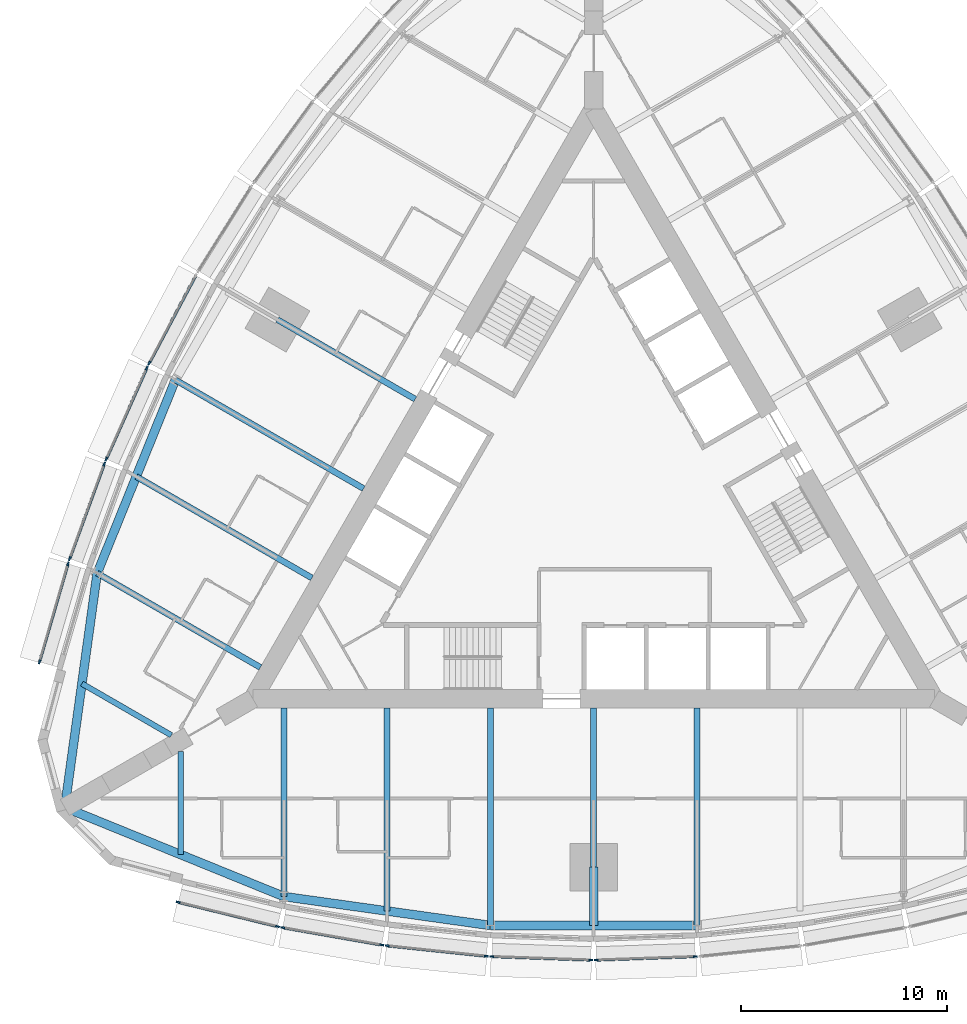
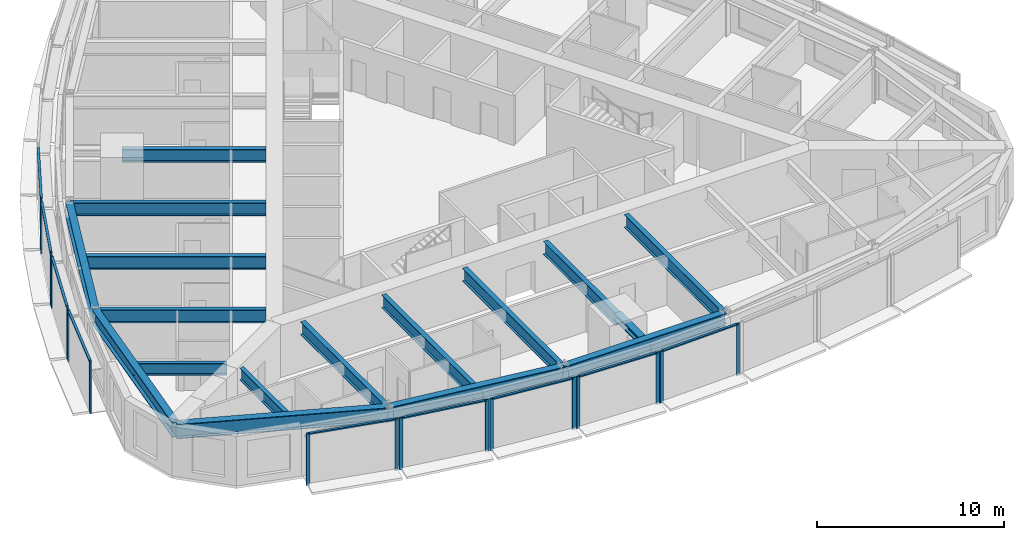
# One storey, part 2 of 14: 26 members, 17 beams, 9 elements without a shape of their own.
"""IFC4 building model written with IfcOpenShell, lengths in metres."""

from ifc_helpers import new_model, si_unit, direction, frame, origin, origin_2d, place, context, subcontext, project, spatial, rectangle, i_section, extrude, material, material_profile, profile_set, type_object, element, aggregate, save


model = new_model("IFC4")

# Units and contexts
model_context = context("Model", 3, precision=1e-05, world=origin(), true_north=direction((0.0, 1.0)))
body_context = subcontext(model_context, "Body", "Model", "MODEL_VIEW")
ifc_project = project(units=[si_unit("LENGTHUNIT", "METRE"), si_unit("AREAUNIT", "SQUARE_METRE"), si_unit("VOLUMEUNIT", "CUBIC_METRE"), si_unit("PLANEANGLEUNIT", "RADIAN"), si_unit("MASSUNIT", "GRAM", prefix="KILO")], contexts=[model_context])

# Site, building, storey
site_placement = place(None, origin())
site = spatial("IfcSite", under=ifc_project, at=site_placement, CompositionType="ELEMENT")
building_placement = place(site_placement, origin())
building = spatial("IfcBuilding", under=site, at=building_placement, Name="Trikona Tower", CompositionType="ELEMENT")
storey_placement = place(building_placement, frame((0.0, 0.0, 175.89990234375)))
storey = spatial("IfcBuildingStorey", under=building, at=storey_placement, Name="L47", CompositionType="ELEMENT", Elevation=175.89990234375)

# Curtain wall, members
ifc_material_1 = material(Name="Aluminium curtain wall system", Category="aluminium")
curtain_wall_type = type_object("IfcCurtainWallType", Name="Curtain wall DS2", PredefinedType="NOTDEFINED", material=ifc_material_1)
curtain_wall_1_placement = place(storey_placement, origin())
curtain_wall_1 = element("IfcCurtainWall", 1, at=curtain_wall_1_placement, inside=storey, type_object=curtain_wall_type, Name="Curtain wall DS2 L47", PredefinedType="NOTDEFINED")
ifc_material_2 = material(Name="Aluminium mullion, pale anodised", Category="aluminium")
ifc_material_profile_1 = material_profile(ifc_material_2, rectangle(XDim=0.080078125, YDim=0.199951171875, at=origin_2d()), Name="MUL-DS2")
ifc_profile_set_1 = profile_set([ifc_material_profile_1], Name="Aluminium mullion, pale anodised")
member_type_1 = type_object("IfcMemberType", Name="Mullion DS2 80x200", PredefinedType="MULLION", material=ifc_profile_set_1)
member_1_placement = place(storey_placement, frame((-20.116943359375, -19.373046875, 0.0), z_axis=(0.0, 0.0, 1.0), x_axis=(0.237970204243, 0.971272455026, 0.0)))
member_1 = element("IfcMember", 2, at=member_1_placement, type_object=member_type_1, Name="CW-DS2 mullion 1", PredefinedType="MULLION", context=body_context, shape_type="SweptSolid", body=[
    extrude(rectangle(XDim=0.080078125, YDim=0.199951171875, at=origin_2d()), origin(), (0.0, 0.0, 1.0), 3.400146484375),
])
member_2_placement = place(storey_placement, frame((-15.311279296875, -20.550537109375, 0.0), z_axis=(0.0, 0.0, 1.0), x_axis=(0.237970204243, 0.971272455026, 0.0)))
member_2 = element("IfcMember", 3, at=member_2_placement, type_object=member_type_1, Name="CW-DS2 mullion 2", PredefinedType="MULLION", context=body_context, shape_type="SweptSolid", body=[
    extrude(rectangle(XDim=0.080078125, YDim=0.199951171875, at=origin_2d()), origin(), (0.0, 0.0, 1.0), 3.400146484375),
])

curtain_wall_2_placement = place(storey_placement, origin())
curtain_wall_2 = element("IfcCurtainWall", 4, at=curtain_wall_2_placement, inside=storey, type_object=curtain_wall_type, Name="Curtain wall DS2 L47", PredefinedType="NOTDEFINED")
member_3_placement = place(storey_placement, frame((-15.056640625, -20.60400390625, 0.0), z_axis=(0.0, 0.0, 1.0), x_axis=(0.17237739505, 0.985030981074, 0.0)))
member_3 = element("IfcMember", 5, at=member_3_placement, type_object=member_type_1, Name="CW-DS2 mullion 1", PredefinedType="MULLION", context=body_context, shape_type="SweptSolid", body=[
    extrude(rectangle(XDim=0.080078125, YDim=0.199951171875, at=origin_2d()), origin(), (0.0, 0.0, 1.0), 3.400146484375),
])
member_4_placement = place(storey_placement, frame((-10.253662109375, -21.444580078125, 0.0), z_axis=(0.0, 0.0, 1.0), x_axis=(0.17237739505, 0.985030981074, 0.0)))
member_4 = element("IfcMember", 6, at=member_4_placement, type_object=member_type_1, Name="CW-DS2 mullion 2", PredefinedType="MULLION", context=body_context, shape_type="SweptSolid", body=[
    extrude(rectangle(XDim=0.080078125, YDim=0.199951171875, at=origin_2d()), origin(), (0.0, 0.0, 1.0), 3.400146484375),
])

curtain_wall_3_placement = place(storey_placement, origin())
curtain_wall_3 = element("IfcCurtainWall", 7, at=curtain_wall_3_placement, inside=storey, type_object=curtain_wall_type, Name="Curtain wall DS2 L47", PredefinedType="NOTDEFINED")
member_5_placement = place(storey_placement, frame((-9.99462890625, -21.480712890625, 0.0), z_axis=(0.0, 0.0, 1.0), x_axis=(0.104433387357, 0.994531883654, 0.0)))
member_5 = element("IfcMember", 8, at=member_5_placement, type_object=member_type_1, Name="CW-DS2 mullion 1", PredefinedType="MULLION", context=body_context, shape_type="SweptSolid", body=[
    extrude(rectangle(XDim=0.080078125, YDim=0.199951171875, at=origin_2d()), origin(), (0.0, 0.0, 1.0), 3.400146484375),
])
member_6_placement = place(storey_placement, frame((-5.193359375, -21.98486328125, 0.0), z_axis=(0.0, 0.0, 1.0), x_axis=(0.104433387357, 0.994531883654, 0.0)))
member_6 = element("IfcMember", 9, at=member_6_placement, type_object=member_type_1, Name="CW-DS2 mullion 2", PredefinedType="MULLION", context=body_context, shape_type="SweptSolid", body=[
    extrude(rectangle(XDim=0.080078125, YDim=0.199951171875, at=origin_2d()), origin(), (0.0, 0.0, 1.0), 3.400146484375),
])

curtain_wall_4_placement = place(storey_placement, origin())
curtain_wall_4 = element("IfcCurtainWall", 10, at=curtain_wall_4_placement, inside=storey, type_object=curtain_wall_type, Name="Curtain wall DS2 L47", PredefinedType="NOTDEFINED")
member_7_placement = place(storey_placement, frame((-4.931640625, -22.003173828125, 0.0), z_axis=(0.0, 0.0, 1.0), x_axis=(0.034998320052, 0.99938737114, 0.0)))
member_7 = element("IfcMember", 11, at=member_7_placement, type_object=member_type_1, Name="CW-DS2 mullion 1", PredefinedType="MULLION", context=body_context, shape_type="SweptSolid", body=[
    extrude(rectangle(XDim=0.080078125, YDim=0.199951171875, at=origin_2d()), origin(), (0.0, 0.0, 1.0), 3.400146484375),
])
member_8_placement = place(storey_placement, frame((-0.13134765625, -22.171142578125, 0.0), z_axis=(0.0, 0.0, 1.0), x_axis=(0.034998320052, 0.99938737114, 0.0)))
member_8 = element("IfcMember", 12, at=member_8_placement, type_object=member_type_1, Name="CW-DS2 mullion 2", PredefinedType="MULLION", context=body_context, shape_type="SweptSolid", body=[
    extrude(rectangle(XDim=0.080078125, YDim=0.199951171875, at=origin_2d()), origin(), (0.0, 0.0, 1.0), 3.400146484375),
])

curtain_wall_5_placement = place(storey_placement, origin())
curtain_wall_5 = element("IfcCurtainWall", 13, at=curtain_wall_5_placement, inside=storey, type_object=curtain_wall_type, Name="Curtain wall DS2 L47", PredefinedType="NOTDEFINED")
member_9_placement = place(storey_placement, frame((0.13134765625, -22.171142578125, 0.0), z_axis=(0.0, 0.0, 1.0), x_axis=(-0.034998320052, 0.99938737114, 0.0)))
member_9 = element("IfcMember", 14, at=member_9_placement, type_object=member_type_1, Name="CW-DS2 mullion 1", PredefinedType="MULLION", context=body_context, shape_type="SweptSolid", body=[
    extrude(rectangle(XDim=0.080078125, YDim=0.199951171875, at=origin_2d()), origin(), (0.0, 0.0, 1.0), 3.400146484375),
])
member_10_placement = place(storey_placement, frame((4.931640625, -22.003173828125, 0.0), z_axis=(0.0, 0.0, 1.0), x_axis=(-0.034998320052, 0.99938737114, 0.0)))
member_10 = element("IfcMember", 15, at=member_10_placement, type_object=member_type_1, Name="CW-DS2 mullion 2", PredefinedType="MULLION", context=body_context, shape_type="SweptSolid", body=[
    extrude(rectangle(XDim=0.080078125, YDim=0.199951171875, at=origin_2d()), origin(), (0.0, 0.0, 1.0), 3.400146484375),
])

# Curtain wall, member
curtain_wall_6_placement = place(storey_placement, origin())
curtain_wall_6 = element("IfcCurtainWall", 16, at=curtain_wall_6_placement, inside=storey, type_object=curtain_wall_type, Name="Curtain wall DS2 L47", PredefinedType="NOTDEFINED")
member_11_placement = place(storey_placement, frame((-21.52099609375, 6.730712890625, 0.0), z_axis=(0.0, 0.0, 1.0), x_axis=(0.882996107343, -0.469380308937, 0.0)))
member_11 = element("IfcMember", 17, at=member_11_placement, type_object=member_type_1, Name="CW-DS2 mullion 2", PredefinedType="MULLION", context=body_context, shape_type="SweptSolid", body=[
    extrude(rectangle(XDim=0.080078125, YDim=0.199951171875, at=origin_2d()), origin(), (0.0, 0.0, 1.0), 3.400146484375),
])

# Curtain wall, members
curtain_wall_7_placement = place(storey_placement, origin())
curtain_wall_7 = element("IfcCurtainWall", 18, at=curtain_wall_7_placement, inside=storey, type_object=curtain_wall_type, Name="Curtain wall DS2 L47", PredefinedType="NOTDEFINED")
member_12_placement = place(storey_placement, frame((-21.63623046875, 6.494873046875, 0.0), z_axis=(0.0, 0.0, 1.0), x_axis=(0.913501208767, -0.406836013132, 0.0)))
member_12 = element("IfcMember", 19, at=member_12_placement, type_object=member_type_1, Name="CW-DS2 mullion 1", PredefinedType="MULLION", context=body_context, shape_type="SweptSolid", body=[
    extrude(rectangle(XDim=0.080078125, YDim=0.199951171875, at=origin_2d()), origin(), (0.0, 0.0, 1.0), 3.400146484375),
])
member_13_placement = place(storey_placement, frame((-23.60009765625, 2.0849609375, 0.0), z_axis=(0.0, 0.0, 1.0), x_axis=(0.913501208767, -0.406836013132, 0.0)))
member_13 = element("IfcMember", 20, at=member_13_placement, type_object=member_type_1, Name="CW-DS2 mullion 2", PredefinedType="MULLION", context=body_context, shape_type="SweptSolid", body=[
    extrude(rectangle(XDim=0.080078125, YDim=0.199951171875, at=origin_2d()), origin(), (0.0, 0.0, 1.0), 3.400146484375),
])

curtain_wall_8_placement = place(storey_placement, origin())
curtain_wall_8 = element("IfcCurtainWall", 21, at=curtain_wall_8_placement, inside=storey, type_object=curtain_wall_type, Name="Curtain wall DS2 L47", PredefinedType="NOTDEFINED")
member_14_placement = place(storey_placement, frame((-23.6982421875, 1.84228515625, 0.0), z_axis=(0.0, 0.0, 1.0), x_axis=(0.939253790978, -0.343223420143, 0.0)))
member_14 = element("IfcMember", 22, at=member_14_placement, type_object=member_type_1, Name="CW-DS2 mullion 1", PredefinedType="MULLION", context=body_context, shape_type="SweptSolid", body=[
    extrude(rectangle(XDim=0.080078125, YDim=0.199951171875, at=origin_2d()), origin(), (0.0, 0.0, 1.0), 3.400146484375),
])
member_15_placement = place(storey_placement, frame((-25.371826171875, -2.737548828125, 0.0), z_axis=(0.0, 0.0, 1.0), x_axis=(0.939253790978, -0.343223420143, 0.0)))
member_15 = element("IfcMember", 23, at=member_15_placement, type_object=member_type_1, Name="CW-DS2 mullion 2", PredefinedType="MULLION", context=body_context, shape_type="SweptSolid", body=[
    extrude(rectangle(XDim=0.080078125, YDim=0.199951171875, at=origin_2d()), origin(), (0.0, 0.0, 1.0), 3.400146484375),
])

curtain_wall_9_placement = place(storey_placement, origin())
curtain_wall_9 = element("IfcCurtainWall", 24, at=curtain_wall_9_placement, inside=storey, type_object=curtain_wall_type, Name="Curtain wall DS2 L47", PredefinedType="NOTDEFINED")
member_16_placement = place(storey_placement, frame((-25.452880859375, -2.984619140625, 0.0), z_axis=(0.0, 0.0, 1.0), x_axis=(0.96013310152, -0.279543247757, 0.0)))
member_16 = element("IfcMember", 25, at=member_16_placement, type_object=member_type_1, Name="CW-DS2 mullion 1", PredefinedType="MULLION", context=body_context, shape_type="SweptSolid", body=[
    extrude(rectangle(XDim=0.080078125, YDim=0.199951171875, at=origin_2d()), origin(), (0.0, 0.0, 1.0), 3.400146484375),
])
member_17_placement = place(storey_placement, frame((-26.836181640625, -7.7353515625, 0.0), z_axis=(0.0, 0.0, 1.0), x_axis=(0.96013310152, -0.279543247757, 0.0)))
member_17 = element("IfcMember", 26, at=member_17_placement, type_object=member_type_1, Name="CW-DS2 mullion 2", PredefinedType="MULLION", context=body_context, shape_type="SweptSolid", body=[
    extrude(rectangle(XDim=0.080078125, YDim=0.199951171875, at=origin_2d()), origin(), (0.0, 0.0, 1.0), 3.400146484375),
])

# Beams
ifc_material_3 = material(Name="Steel ASTM A992 Grade 50", Category="steel")
ifc_material_profile_2 = material_profile(ifc_material_3, i_section(OverallWidth=0.419189453125, OverallDepth=0.45458984375, WebThickness=0.042236328125, FlangeThickness=0.067626953125, at=origin_2d()), Name="W14X370")
ifc_profile_set_2 = profile_set([ifc_material_profile_2], Name="Steel ASTM A992 Grade 50")
beam_type_1 = type_object("IfcBeamType", Name="Steel beam W14x370 (apex bracket)", PredefinedType="BEAM", material=ifc_profile_set_2)
beam_1_placement = place(storey_placement, frame((0.0, -17.680419921875, 3.0078125), z_axis=(0.0, -1.0, 0.0), x_axis=(1.0, 0.0, 0.0)))
element("IfcBeam", 27, at=beam_1_placement, inside=storey, type_object=beam_type_1, Name="Cantilever bracket L48 F1", PredefinedType="BEAM", context=body_context, shape_type="SweptSolid", body=[
    extrude(i_section(OverallWidth=0.419189453125, OverallDepth=0.45458984375, WebThickness=0.042236328125, FlangeThickness=0.067626953125, at=origin_2d()), origin(), (0.0, 0.0, 1.0), 2.81982421875),
])
ifc_material_4 = material(Name="Steel ASTM A992 Grade 50", Category="steel")
ifc_material_profile_3 = material_profile(ifc_material_4, i_section(OverallWidth=0.2666015625, OverallDepth=0.76953125, WebThickness=0.015625, FlangeThickness=0.025390625, at=origin_2d()), Name="W30X132")
ifc_profile_set_3 = profile_set([ifc_material_profile_3], Name="Steel ASTM A992 Grade 50")
beam_type_2 = type_object("IfcBeamType", Name="Steel beam W30x132 (wedge)", PredefinedType="BEAM", material=ifc_profile_set_3)
beam_2_placement = place(storey_placement, frame((-20.0, -12.066650390625, 2.850341796875), z_axis=(0.0, -1.0, 0.0), x_axis=(1.0, 0.0, 0.0)))
element("IfcBeam", 28, at=beam_2_placement, inside=storey, type_object=beam_type_2, Name="Floor beam L48 F1 u-20", PredefinedType="BEAM", context=body_context, shape_type="SweptSolid", body=[
    extrude(i_section(OverallWidth=0.2666015625, OverallDepth=0.76953125, WebThickness=0.015625, FlangeThickness=0.025390625, at=origin_2d()), origin(), (0.0, 0.0, 1.0), 5.00048828125),
])
beam_3_placement = place(storey_placement, frame((-20.449951171875, -11.287109375, 2.850341796875), z_axis=(-0.866038434829, 0.49997742889, 0.0), x_axis=(-0.49997742889, -0.866038434829, 0.0)))
element("IfcBeam", 29, at=beam_3_placement, inside=storey, type_object=beam_type_2, Name="Floor beam L48 F3 u20", PredefinedType="BEAM", context=body_context, shape_type="SweptSolid", body=[
    extrude(i_section(OverallWidth=0.2666015625, OverallDepth=0.76953125, WebThickness=0.015625, FlangeThickness=0.025390625, at=origin_2d()), origin(), (0.0, 0.0, 1.0), 5.000732421875),
])
ifc_material_5 = material(Name="Steel ASTM A992 Grade 50", Category="steel")
ifc_material_profile_4 = material_profile(ifc_material_5, i_section(OverallWidth=0.2919921875, OverallDepth=0.845703125, WebThickness=0.015380859375, FlangeThickness=0.0244140625, at=origin_2d()), Name="W33X141")
ifc_profile_set_4 = profile_set([ifc_material_profile_4], Name="Steel ASTM A992 Grade 50")
beam_type_3 = type_object("IfcBeamType", Name="Steel beam W33x141 (radial typ)", PredefinedType="BEAM", material=ifc_profile_set_4)
beam_4_placement = place(storey_placement, frame((-15.0, -9.976318359375, 2.812255859375), z_axis=(0.0, -1.0, 0.0), x_axis=(1.0, 0.0, 0.0)))
element("IfcBeam", 30, at=beam_4_placement, inside=storey, type_object=beam_type_3, Name="Floor beam L48 F1 u-15", PredefinedType="BEAM", context=body_context, shape_type="SweptSolid", body=[
    extrude(i_section(OverallWidth=0.2919921875, OverallDepth=0.845703125, WebThickness=0.015380859375, FlangeThickness=0.0244140625, at=origin_2d()), origin(), (0.0, 0.0, 1.0), 9.123779296875),
])
beam_5_placement = place(storey_placement, frame((-10.0, -9.976318359375, 2.812255859375), z_axis=(0.0, -1.0, 0.0), x_axis=(1.0, 0.0, 0.0)))
element("IfcBeam", 31, at=beam_5_placement, inside=storey, type_object=beam_type_3, Name="Floor beam L48 F1 u-10", PredefinedType="BEAM", context=body_context, shape_type="SweptSolid", body=[
    extrude(i_section(OverallWidth=0.2919921875, OverallDepth=0.845703125, WebThickness=0.015380859375, FlangeThickness=0.0244140625, at=origin_2d()), origin(), (0.0, 0.0, 1.0), 9.823974609375),
])
beam_6_placement = place(storey_placement, frame((-5.0, -9.976318359375, 2.812255859375), z_axis=(0.0, -1.0, 0.0), x_axis=(1.0, 0.0, 0.0)))
element("IfcBeam", 32, at=beam_6_placement, inside=storey, type_object=beam_type_3, Name="Floor beam L48 F1 u-5", PredefinedType="BEAM", context=body_context, shape_type="SweptSolid", body=[
    extrude(i_section(OverallWidth=0.2919921875, OverallDepth=0.845703125, WebThickness=0.015380859375, FlangeThickness=0.0244140625, at=origin_2d()), origin(), (0.0, 0.0, 1.0), 10.52392578125),
])
beam_7_placement = place(storey_placement, frame((0.0, -9.976318359375, 2.812255859375), z_axis=(0.0, -1.0, 0.0), x_axis=(1.0, 0.0, 0.0)))
element("IfcBeam", 33, at=beam_7_placement, inside=storey, type_object=beam_type_3, Name="Floor beam L48 F1 u0", PredefinedType="BEAM", context=body_context, shape_type="SweptSolid", body=[
    extrude(i_section(OverallWidth=0.2919921875, OverallDepth=0.845703125, WebThickness=0.015380859375, FlangeThickness=0.0244140625, at=origin_2d()), origin(), (0.0, 0.0, 1.0), 7.7041015625),
])
beam_8_placement = place(storey_placement, frame((5.0, -9.976318359375, 2.812255859375), z_axis=(0.0, -1.0, 0.0), x_axis=(1.0, 0.0, 0.0)))
element("IfcBeam", 34, at=beam_8_placement, inside=storey, type_object=beam_type_3, Name="Floor beam L48 F1 u5", PredefinedType="BEAM", context=body_context, shape_type="SweptSolid", body=[
    extrude(i_section(OverallWidth=0.2919921875, OverallDepth=0.845703125, WebThickness=0.015380859375, FlangeThickness=0.0244140625, at=origin_2d()), origin(), (0.0, 0.0, 1.0), 10.52392578125),
])
beam_9_placement = place(storey_placement, frame((-8.6396484375, 4.988037109375, 2.812255859375), z_axis=(-0.866017246294, 0.500014128921, 0.0), x_axis=(-0.500014128921, -0.866017246294, 0.0)))
element("IfcBeam", 35, at=beam_9_placement, inside=storey, type_object=beam_type_3, Name="Floor beam L48 F3 u0", PredefinedType="BEAM", context=body_context, shape_type="SweptSolid", body=[
    extrude(i_section(OverallWidth=0.2919921875, OverallDepth=0.845703125, WebThickness=0.015380859375, FlangeThickness=0.0244140625, at=origin_2d()), origin(), (0.0, 0.0, 1.0), 7.704345703125),
])
beam_10_placement = place(storey_placement, frame((-11.1396484375, 0.657958984375, 2.812255859375), z_axis=(-0.866026035623, 0.499998905622, 0.0), x_axis=(-0.499998905622, -0.866026035623, 0.0)))
element("IfcBeam", 36, at=beam_10_placement, inside=storey, type_object=beam_type_3, Name="Floor beam L48 F3 u5", PredefinedType="BEAM", context=body_context, shape_type="SweptSolid", body=[
    extrude(i_section(OverallWidth=0.2919921875, OverallDepth=0.845703125, WebThickness=0.015380859375, FlangeThickness=0.0244140625, at=origin_2d()), origin(), (0.0, 0.0, 1.0), 10.52392578125),
])
beam_11_placement = place(storey_placement, frame((-13.6396484375, -3.672119140625, 2.812255859375), z_axis=(-0.866020046725, 0.500009278584, 0.0), x_axis=(-0.500009278584, -0.866020046725, 0.0)))
element("IfcBeam", 37, at=beam_11_placement, inside=storey, type_object=beam_type_3, Name="Floor beam L48 F3 u10", PredefinedType="BEAM", context=body_context, shape_type="SweptSolid", body=[
    extrude(i_section(OverallWidth=0.2919921875, OverallDepth=0.845703125, WebThickness=0.015380859375, FlangeThickness=0.0244140625, at=origin_2d()), origin(), (0.0, 0.0, 1.0), 9.823974609375),
])
beam_12_placement = place(storey_placement, frame((-16.1396484375, -8.002197265625, 2.812255859375), z_axis=(-0.866024725532, 0.500001174766, 0.0), x_axis=(-0.500001174766, -0.866024725532, 0.0)))
element("IfcBeam", 38, at=beam_12_placement, inside=storey, type_object=beam_type_3, Name="Floor beam L48 F3 u15", PredefinedType="BEAM", context=body_context, shape_type="SweptSolid", body=[
    extrude(i_section(OverallWidth=0.2919921875, OverallDepth=0.845703125, WebThickness=0.015380859375, FlangeThickness=0.0244140625, at=origin_2d()), origin(), (0.0, 0.0, 1.0), 9.1240234375),
])
ifc_material_6 = material(Name="Steel ASTM A992 Grade 50", Category="steel")
ifc_material_profile_5 = material_profile(ifc_material_6, i_section(OverallWidth=0.424072265625, OverallDepth=0.947509765625, WebThickness=0.02392578125, FlangeThickness=0.042724609375, at=origin_2d()), Name="W36X302")
ifc_profile_set_5 = profile_set([ifc_material_profile_5], Name="Steel ASTM A992 Grade 50")
beam_type_4 = type_object("IfcBeamType", Name="Steel beam W36x302 (spandrel)", PredefinedType="SPANDREL", material=ifc_profile_set_5)
beam_13_placement = place(storey_placement, frame((-25.6103515625, -14.7861328125, 2.761474609375), z_axis=(0.926359695662, -0.376640032728, 0.0), x_axis=(0.376640032728, 0.926359695662, 0.0)))
element("IfcBeam", 39, at=beam_13_placement, inside=storey, type_object=beam_type_4, Name="Spandrel beam L48 F1-1", PredefinedType="SPANDREL", context=body_context, shape_type="SweptSolid", body=[
    extrude(i_section(OverallWidth=0.424072265625, OverallDepth=0.947509765625, WebThickness=0.02392578125, FlangeThickness=0.042724609375, at=origin_2d()), origin(), (0.0, 0.0, 1.0), 11.453857421875),
])
beam_14_placement = place(storey_placement, frame((-15.0, -19.10009765625, 2.761474609375), z_axis=(0.990339754644, -0.13866207258, 0.0), x_axis=(0.13866207258, 0.990339754644, 0.0)))
element("IfcBeam", 40, at=beam_14_placement, inside=storey, type_object=beam_type_4, Name="Spandrel beam L48 F1-2", PredefinedType="SPANDREL", context=body_context, shape_type="SweptSolid", body=[
    extrude(i_section(OverallWidth=0.424072265625, OverallDepth=0.947509765625, WebThickness=0.02392578125, FlangeThickness=0.042724609375, at=origin_2d()), origin(), (0.0, 0.0, 1.0), 10.09765625),
])
beam_15_placement = place(storey_placement, frame((-5.0, -20.500244140625, 2.761474609375), z_axis=(1.0, 0.0, 0.0), x_axis=(0.0, 1.0, 0.0)))
element("IfcBeam", 41, at=beam_15_placement, inside=storey, type_object=beam_type_4, Name="Spandrel beam L48 F1-3", PredefinedType="SPANDREL", context=body_context, shape_type="SweptSolid", body=[
    extrude(i_section(OverallWidth=0.424072265625, OverallDepth=0.947509765625, WebThickness=0.02392578125, FlangeThickness=0.042724609375, at=origin_2d()), origin(), (0.0, 0.0, 1.0), 10.0),
])
beam_16_placement = place(storey_placement, frame((-20.253662109375, 5.919921875, 2.761474609375), z_axis=(-0.375106193787, -0.926981846307, 0.0), x_axis=(0.926981846307, -0.375106193787, 0.0)))
element("IfcBeam", 42, at=beam_16_placement, inside=storey, type_object=beam_type_4, Name="Spandrel beam L48 F3-4", PredefinedType="SPANDREL", context=body_context, shape_type="SweptSolid", body=[
    extrude(i_section(OverallWidth=0.424072265625, OverallDepth=0.947509765625, WebThickness=0.02392578125, FlangeThickness=0.042724609375, at=origin_2d()), origin(), (0.0, 0.0, 1.0), 10.097412109375),
])
beam_17_placement = place(storey_placement, frame((-24.041259765625, -3.440185546875, 2.761474609375), z_axis=(-0.136991535842, -0.990572218017, 0.0), x_axis=(0.990572218017, -0.136991535842, 0.0)))
element("IfcBeam", 43, at=beam_17_placement, inside=storey, type_object=beam_type_4, Name="Spandrel beam L48 F3-5", PredefinedType="SPANDREL", context=body_context, shape_type="SweptSolid", body=[
    extrude(i_section(OverallWidth=0.424072265625, OverallDepth=0.947509765625, WebThickness=0.02392578125, FlangeThickness=0.042724609375, at=origin_2d()), origin(), (0.0, 0.0, 1.0), 11.453857421875),
])

# Member
ifc_material_7 = material(Name="Aluminium transom, pale anodised", Category="aluminium")
ifc_material_profile_6 = material_profile(ifc_material_7, rectangle(XDim=0.139892578125, YDim=0.080078125, at=origin_2d()), Name="TRN-DS2")
ifc_profile_set_6 = profile_set([ifc_material_profile_6], Name="Aluminium transom, pale anodised")
member_type_2 = type_object("IfcMemberType", Name="Transom DS2 80x140", PredefinedType="USERDEFINED", material=ifc_profile_set_6)
member_18_placement = place(storey_placement, frame((-20.078125, -19.382568359375, 3.360107421875), z_axis=(0.971270583303, -0.237977843528, 0.0), x_axis=(0.237977843528, 0.971270583303, 0.0)))
member_18 = element("IfcMember", 44, at=member_18_placement, type_object=member_type_2, Name="CW-DS2 transom 1.1", ObjectType="TRANSOM", PredefinedType="USERDEFINED", context=body_context, shape_type="SweptSolid", body=[
    extrude(rectangle(XDim=0.139892578125, YDim=0.080078125, at=origin_2d()), origin(), (0.0, 0.0, 1.0), 4.867919921875),
])

aggregate(curtain_wall_1, [member_1, member_2, member_18])

member_19_placement = place(storey_placement, frame((-15.01708984375, -20.61083984375, 3.360107421875), z_axis=(0.98503262804, -0.172367983387, 0.0), x_axis=(0.172367983387, 0.98503262804, 0.0)))
member_19 = element("IfcMember", 45, at=member_19_placement, type_object=member_type_2, Name="CW-DS2 transom 1.1", ObjectType="TRANSOM", PredefinedType="USERDEFINED", context=body_context, shape_type="SweptSolid", body=[
    extrude(rectangle(XDim=0.139892578125, YDim=0.080078125, at=origin_2d()), origin(), (0.0, 0.0, 1.0), 4.7958984375),
])

aggregate(curtain_wall_2, [member_3, member_4, member_19])

member_20_placement = place(storey_placement, frame((-9.954833984375, -21.48486328125, 3.360107421875), z_axis=(0.99453106441, -0.104441188822, 0.0), x_axis=(0.104441188822, 0.99453106441, 0.0)))
member_20 = element("IfcMember", 46, at=member_20_placement, type_object=member_type_2, Name="CW-DS2 transom 1.1", ObjectType="TRANSOM", PredefinedType="USERDEFINED", context=body_context, shape_type="SweptSolid", body=[
    extrude(rectangle(XDim=0.139892578125, YDim=0.080078125, at=origin_2d()), origin(), (0.0, 0.0, 1.0), 4.74755859375),
])

aggregate(curtain_wall_3, [member_5, member_6, member_20])

member_21_placement = place(storey_placement, frame((-4.8916015625, -22.00439453125, 3.360107421875), z_axis=(0.999385692759, -0.035046213908, 0.0), x_axis=(0.035046213908, 0.999385692759, 0.0)))
member_21 = element("IfcMember", 47, at=member_21_placement, type_object=member_type_2, Name="CW-DS2 transom 1.1", ObjectType="TRANSOM", PredefinedType="USERDEFINED", context=body_context, shape_type="SweptSolid", body=[
    extrude(rectangle(XDim=0.139892578125, YDim=0.080078125, at=origin_2d()), origin(), (0.0, 0.0, 1.0), 4.72314453125),
])

aggregate(curtain_wall_4, [member_7, member_8, member_21])

member_22_placement = place(storey_placement, frame((0.17138671875, -22.169921875, 3.360107421875), z_axis=(0.999385692759, 0.035046213908, 0.0), x_axis=(-0.035046213908, 0.999385692759, 0.0)))
member_22 = element("IfcMember", 48, at=member_22_placement, type_object=member_type_2, Name="CW-DS2 transom 1.1", ObjectType="TRANSOM", PredefinedType="USERDEFINED", context=body_context, shape_type="SweptSolid", body=[
    extrude(rectangle(XDim=0.139892578125, YDim=0.080078125, at=origin_2d()), origin(), (0.0, 0.0, 1.0), 4.72314453125),
])

aggregate(curtain_wall_5, [member_9, member_10, member_22])

member_23_placement = place(storey_placement, frame((-19.285400390625, 10.9365234375, 3.360107421875), z_axis=(-0.469364343408, -0.883004594063, 0.0), x_axis=(0.883004594063, -0.469364343408, 0.0)))
member_23 = element("IfcMember", 49, at=member_23_placement, type_object=member_type_2, Name="CW-DS2 transom 1.1", ObjectType="TRANSOM", PredefinedType="USERDEFINED", context=body_context, shape_type="SweptSolid", body=[
    extrude(rectangle(XDim=0.139892578125, YDim=0.080078125, at=origin_2d()), origin(), (0.0, 0.0, 1.0), 4.722900390625),
])

aggregate(curtain_wall_6, [member_11, member_23])

member_24_placement = place(storey_placement, frame((-21.65234375, 6.458251953125, 3.360107421875), z_axis=(-0.406839769607, -0.913499535778, 0.0), x_axis=(0.913499535778, -0.406839769607, 0.0)))
member_24 = element("IfcMember", 50, at=member_24_placement, type_object=member_type_2, Name="CW-DS2 transom 1.1", ObjectType="TRANSOM", PredefinedType="USERDEFINED", context=body_context, shape_type="SweptSolid", body=[
    extrude(rectangle(XDim=0.139892578125, YDim=0.080078125, at=origin_2d()), origin(), (0.0, 0.0, 1.0), 4.747314453125),
])

aggregate(curtain_wall_7, [member_12, member_13, member_24])

member_25_placement = place(storey_placement, frame((-23.712158203125, 1.8046875, 3.360107421875), z_axis=(-0.343205907674, -0.939260190223, 0.0), x_axis=(0.939260190223, -0.343205907674, 0.0)))
member_25 = element("IfcMember", 51, at=member_25_placement, type_object=member_type_2, Name="CW-DS2 transom 1.1", ObjectType="TRANSOM", PredefinedType="USERDEFINED", context=body_context, shape_type="SweptSolid", body=[
    extrude(rectangle(XDim=0.139892578125, YDim=0.080078125, at=origin_2d()), origin(), (0.0, 0.0, 1.0), 4.7958984375),
])

aggregate(curtain_wall_8, [member_14, member_15, member_25])

member_26_placement = place(storey_placement, frame((-25.464111328125, -3.023193359375, 3.360107421875), z_axis=(-0.279566628153, -0.960126293996, 0.0), x_axis=(0.960126293996, -0.279566628153, 0.0)))
member_26 = element("IfcMember", 52, at=member_26_placement, type_object=member_type_2, Name="CW-DS2 transom 1.1", ObjectType="TRANSOM", PredefinedType="USERDEFINED", context=body_context, shape_type="SweptSolid", body=[
    extrude(rectangle(XDim=0.139892578125, YDim=0.080078125, at=origin_2d()), origin(), (0.0, 0.0, 1.0), 4.86767578125),
])

aggregate(curtain_wall_9, [member_16, member_17, member_26])

save(model, "model.ifc")
